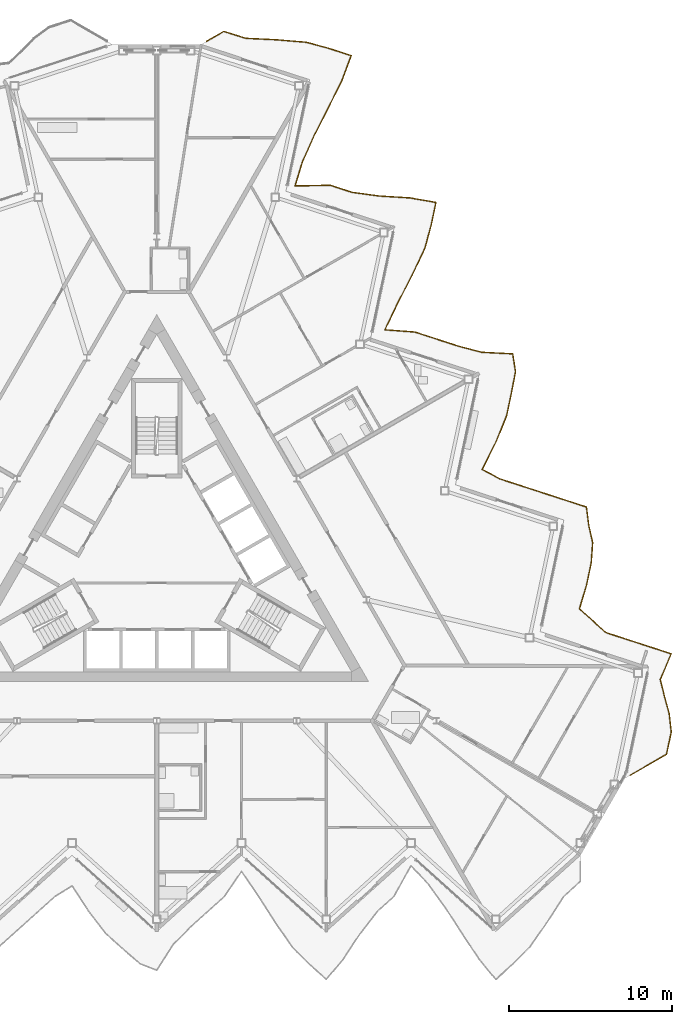
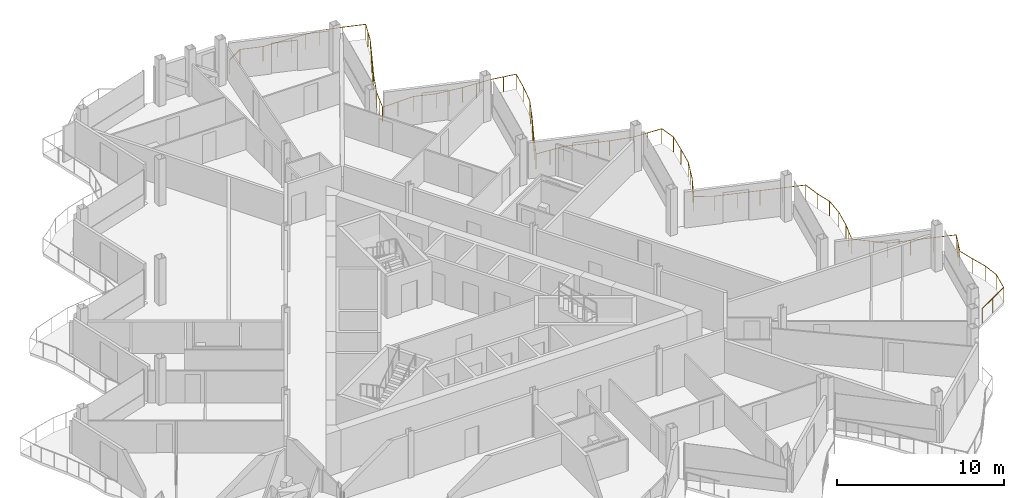
# One storey, part 24 of 26: 1 railing.
"""IFC4 building model written with IfcOpenShell, lengths in metres."""

from ifc_helpers import new_model, si_unit, direction, frame, origin, origin_2d, place, context, subcontext, project, spatial, circle, extrude, material, type_object, element, save


model = new_model("IFC4")

# Units and contexts
model_context = context("Model", 3, precision=1e-05, world=origin(), true_north=direction((0.0, 1.0)))
body_context = subcontext(model_context, "Body", "Model", "MODEL_VIEW")
ifc_project = project(units=[si_unit("LENGTHUNIT", "METRE"), si_unit("AREAUNIT", "SQUARE_METRE"), si_unit("VOLUMEUNIT", "CUBIC_METRE"), si_unit("PLANEANGLEUNIT", "RADIAN"), si_unit("MASSUNIT", "GRAM", prefix="KILO")], contexts=[model_context])

# Site, building, storey
site_placement = place(None, origin())
site = spatial("IfcSite", under=ifc_project, at=site_placement, CompositionType="ELEMENT")
building_placement = place(site_placement, origin())
building = spatial("IfcBuilding", under=site, at=building_placement, Name="Cormorant Prow Tower", CompositionType="ELEMENT")
storey_placement = place(building_placement, frame((0.0, 0.0, 364.39990234375)))
storey = spatial("IfcBuildingStorey", under=building, at=storey_placement, Name="L81", CompositionType="ELEMENT", Elevation=364.39990234375)

# Railing
ifc_material = material(Name="Aluminium 6063-T6", Category="aluminium")
railing_type = type_object("IfcRailingType", Name="Balcony guard 1100", PredefinedType="GUARDRAIL", material=ifc_material)
railing_placement = place(storey_placement, frame((29.0537109375, -13.248046875, 0.0)))
element("IfcRailing", 1, at=railing_placement, inside=storey, type_object=railing_type, Name="Balcony guard ENE", PredefinedType="GUARDRAIL", context=body_context, shape_type="SweptSolid", body=[
    extrude(circle(Radius=0.02392578125, at=origin_2d()), frame((0.0, 0.0, 1.076171875), z_axis=(0.866013163002, 0.500021201058, 0.0), x_axis=(-0.500021201058, 0.866013163002, 0.0)), (0.0, 0.0, 1.0), 2.5703125),
    extrude(circle(Radius=0.02392578125, at=origin_2d()), frame((2.225830078125, 1.28515625, 1.076171875), z_axis=(0.207944297815, 0.978140669335, 0.0), x_axis=(-0.978140669335, 0.207944297815, 0.0)), (0.0, 0.0, 1.0), 1.3994140625),
    extrude(circle(Radius=0.02392578125, at=origin_2d()), frame((2.516845703125, 2.654052734375, 1.076171875), z_axis=(-0.111446863874, 0.993770394273, 0.0), x_axis=(-0.993770394273, -0.111446863874, 0.0)), (0.0, 0.0, 1.0), 1.134765625),
    extrude(circle(Radius=0.02392578125, at=origin_2d()), frame((2.390380859375, 3.78173828125, 1.076171875), z_axis=(-0.265499582895, 0.964110974672, 0.0), x_axis=(-0.964110974672, -0.265499582895, 0.0)), (0.0, 0.0, 1.0), 1.074951171875),
    extrude(circle(Radius=0.02392578125, at=origin_2d()), frame((2.10498046875, 4.818115234375, 1.076171875), z_axis=(-0.240465072316, 0.97065779191, 0.0), x_axis=(-0.97065779191, -0.240465072316, 0.0)), (0.0, 0.0, 1.0), 1.082275390625),
    extrude(circle(Radius=0.02392578125, at=origin_2d()), frame((1.8447265625, 5.86865234375, 1.076171875), z_axis=(0.387606456265, 0.921824948166, 0.0), x_axis=(-0.921824948166, 0.387606456265, 0.0)), (0.0, 0.0, 1.0), 1.72021484375),
    extrude(circle(Radius=0.02392578125, at=origin_2d()), frame((2.511474609375, 7.454345703125, 1.076171875), z_axis=(-0.951028941009, 0.309101849499, 0.0), x_axis=(-0.309101849499, -0.951028941009, 0.0)), (0.0, 0.0, 1.0), 1.399658203125),
    extrude(circle(Radius=0.02392578125, at=origin_2d()), frame((1.180419921875, 7.886962890625, 1.076171875), z_axis=(-0.951063554534, 0.308995332064, 0.0), x_axis=(-0.308995332064, -0.951063554534, 0.0)), (0.0, 0.0, 1.0), 1.399169921875),
    extrude(circle(Radius=0.02392578125, at=origin_2d()), frame((-0.150390625, 8.3193359375, 1.076171875), z_axis=(-0.951028941009, 0.309101849499, 0.0), x_axis=(-0.309101849499, -0.951028941009, 0.0)), (0.0, 0.0, 1.0), 1.399658203125),
    extrude(circle(Radius=0.02392578125, at=origin_2d()), frame((-1.4814453125, 8.751953125, 1.076171875), z_axis=(-0.748465004578, 0.663174288496, 0.0), x_axis=(-0.663174288496, -0.748465004578, 0.0)), (0.0, 0.0, 1.0), 1.096435546875),
    extrude(circle(Radius=0.02392578125, at=origin_2d()), frame((-2.302001953125, 9.47900390625, 1.076171875), z_axis=(-0.746510864736, 0.665373225213, 0.0), x_axis=(-0.665373225213, -0.746510864736, 0.0)), (0.0, 0.0, 1.0), 1.09521484375),
    extrude(circle(Radius=0.02392578125, at=origin_2d()), frame((-3.11962890625, 10.207763671875, 1.076171875), z_axis=(0.287746499695, 0.957706610562, 0.0), x_axis=(-0.957706610562, 0.287746499695, 0.0)), (0.0, 0.0, 1.0), 1.51708984375),
    extrude(circle(Radius=0.02392578125, at=origin_2d()), frame((-2.68310546875, 11.66064453125, 1.076171875), z_axis=(0.20777738218, 0.978176139279, 0.0), x_axis=(-0.978176139279, 0.20777738218, 0.0)), (0.0, 0.0, 1.0), 1.3994140625),
    extrude(circle(Radius=0.02392578125, at=origin_2d()), frame((-2.392333984375, 13.029541015625, 1.076171875), z_axis=(0.06930989136, 0.997595177895, 0.0), x_axis=(-0.997595177895, 0.06930989136, 0.0)), (0.0, 0.0, 1.0), 1.25390625),
    extrude(circle(Radius=0.02392578125, at=origin_2d()), frame((-2.305419921875, 14.280517578125, 1.076171875), z_axis=(-0.222057343381, 0.975033607754, 0.0), x_axis=(-0.975033607754, -0.222057343381, 0.0)), (0.0, 0.0, 1.0), 1.08837890625),
    extrude(circle(Radius=0.02392578125, at=origin_2d()), frame((-2.547119140625, 15.341796875, 1.076171875), z_axis=(-0.125286334102, 0.992120624968, 0.0), x_axis=(-0.992120624968, -0.125286334102, 0.0)), (0.0, 0.0, 1.0), 1.128173828125),
    extrude(circle(Radius=0.02392578125, at=origin_2d()), frame((-2.6884765625, 16.461181640625, 1.076171875), z_axis=(-0.951080208938, 0.308944066403, 0.0), x_axis=(-0.308944066403, -0.951080208938, 0.0)), (0.0, 0.0, 1.0), 1.3994140625),
    extrude(circle(Radius=0.02392578125, at=origin_2d()), frame((-4.01953125, 16.8935546875, 1.076171875), z_axis=(-0.951063554534, 0.308995332064, 0.0), x_axis=(-0.308995332064, -0.951063554534, 0.0)), (0.0, 0.0, 1.0), 1.399169921875),
    extrude(circle(Radius=0.02392578125, at=origin_2d()), frame((-5.350341796875, 17.325927734375, 1.076171875), z_axis=(-0.951028941009, 0.309101849499, 0.0), x_axis=(-0.309101849499, -0.951028941009, 0.0)), (0.0, 0.0, 1.0), 1.399658203125),
    extrude(circle(Radius=0.02392578125, at=origin_2d()), frame((-6.681396484375, 17.758544921875, 1.076171875), z_axis=(-0.951080208938, 0.308944066403, 0.0), x_axis=(-0.308944066403, -0.951080208938, 0.0)), (0.0, 0.0, 1.0), 1.3994140625),
    extrude(circle(Radius=0.02392578125, at=origin_2d()), frame((-8.012451171875, 18.19091796875, 1.076171875), z_axis=(-0.880259311771, 0.474492933604, 0.0), x_axis=(-0.474492933604, -0.880259311771, 0.0)), (0.0, 0.0, 1.0), 1.221923828125),
    extrude(circle(Radius=0.02392578125, at=origin_2d()), frame((-9.088134765625, 18.770751953125, 1.076171875), z_axis=(0.451012966312, 0.892517397152, 0.0), x_axis=(-0.892517397152, 0.451012966312, 0.0)), (0.0, 0.0, 1.0), 1.89990234375),
    extrude(circle(Radius=0.02392578125, at=origin_2d()), frame((-8.231201171875, 20.466552734375, 1.076171875), z_axis=(0.377022296737, 0.926204182545, 0.0), x_axis=(-0.926204182545, 0.377022296737, 0.0)), (0.0, 0.0, 1.0), 1.694580078125),
    extrude(circle(Radius=0.02392578125, at=origin_2d()), frame((-7.59228515625, 22.0361328125, 1.076171875), z_axis=(0.207944297815, 0.978140669335, 0.0), x_axis=(-0.978140669335, 0.207944297815, 0.0)), (0.0, 0.0, 1.0), 1.3994140625),
    extrude(circle(Radius=0.02392578125, at=origin_2d()), frame((-7.30126953125, 23.405029296875, 1.076171875), z_axis=(0.18928822306, 0.98192156948, 0.0), x_axis=(-0.98192156948, 0.18928822306, 0.0)), (0.0, 0.0, 1.0), 1.376220703125),
    extrude(circle(Radius=0.02392578125, at=origin_2d()), frame((-7.040771484375, 24.75634765625, 1.076171875), z_axis=(-0.150874046864, 0.988552994018, 0.0), x_axis=(-0.988552994018, -0.150874046864, 0.0)), (0.0, 0.0, 1.0), 1.116455078125),
    extrude(circle(Radius=0.02392578125, at=origin_2d()), frame((-7.209228515625, 25.860107421875, 1.076171875), z_axis=(-0.998752021132, 0.049943971461, 0.0), x_axis=(-0.049943971461, -0.998752021132, 0.0)), (0.0, 0.0, 1.0), 1.916259765625),
    extrude(circle(Radius=0.02392578125, at=origin_2d()), frame((-9.123046875, 25.955810546875, 1.076171875), z_axis=(-0.966847067746, 0.255356119158, 0.0), x_axis=(-0.255356119158, -0.966847067746, 0.0)), (0.0, 0.0, 1.0), 1.47607421875),
    extrude(circle(Radius=0.02392578125, at=origin_2d()), frame((-10.55029296875, 26.332763671875, 1.076171875), z_axis=(-0.951080208938, 0.308944066403, 0.0), x_axis=(-0.308944066403, -0.951080208938, 0.0)), (0.0, 0.0, 1.0), 1.3994140625),
    extrude(circle(Radius=0.02392578125, at=origin_2d()), frame((-11.88134765625, 26.76513671875, 1.076171875), z_axis=(-0.951080208938, 0.308944066403, 0.0), x_axis=(-0.308944066403, -0.951080208938, 0.0)), (0.0, 0.0, 1.0), 1.3994140625),
    extrude(circle(Radius=0.02392578125, at=origin_2d()), frame((-13.21240234375, 27.197509765625, 1.076171875), z_axis=(-0.997206453657, 0.074694636924, 0.0), x_axis=(-0.074694636924, -0.997206453657, 0.0)), (0.0, 0.0, 1.0), 1.8466796875),
    extrude(circle(Radius=0.02392578125, at=origin_2d()), frame((-15.053955078125, 27.33544921875, 1.076171875), z_axis=(0.434157433131, 0.900837012593, 0.0), x_axis=(-0.900837012593, 0.434157433131, 0.0)), (0.0, 0.0, 1.0), 1.8466796875),
    extrude(circle(Radius=0.02392578125, at=origin_2d()), frame((-14.252197265625, 28.9990234375, 1.076171875), z_axis=(0.457304922398, 0.889309961684, 0.0), x_axis=(-0.889309961684, 0.457304922398, 0.0)), (0.0, 0.0, 1.0), 1.92041015625),
    extrude(circle(Radius=0.02392578125, at=origin_2d()), frame((-13.3740234375, 30.706787109375, 1.076171875), z_axis=(0.427552298794, 0.903990614883, 0.0), x_axis=(-0.903990614883, 0.427552298794, 0.0)), (0.0, 0.0, 1.0), 1.827880859375),
    extrude(circle(Radius=0.02392578125, at=origin_2d()), frame((-12.592529296875, 32.359130859375, 1.076171875), z_axis=(0.259747429895, 0.965676588027, 0.0), x_axis=(-0.965676588027, 0.259747429895, 0.0)), (0.0, 0.0, 1.0), 1.471923828125),
    extrude(circle(Radius=0.02392578125, at=origin_2d()), frame((-12.210205078125, 33.780517578125, 1.076171875), z_axis=(0.20777738218, 0.978176139279, 0.0), x_axis=(-0.978176139279, 0.20777738218, 0.0)), (0.0, 0.0, 1.0), 1.3994140625),
    extrude(circle(Radius=0.02392578125, at=origin_2d()), frame((-11.91943359375, 35.1494140625, 1.076171875), z_axis=(-0.985103249927, 0.171963911864, 0.0), x_axis=(-0.171963911864, -0.985103249927, 0.0)), (0.0, 0.0, 1.0), 1.621337890625),
    extrude(circle(Radius=0.02392578125, at=origin_2d()), frame((-13.5166015625, 35.42822265625, 1.076171875), z_axis=(-0.998135869432, 0.061031026159, 0.0), x_axis=(-0.061031026159, -0.998135869432, 0.0)), (0.0, 0.0, 1.0), 1.884033203125),
    extrude(circle(Radius=0.02392578125, at=origin_2d()), frame((-15.397216796875, 35.543212890625, 1.076171875), z_axis=(-0.990919116289, 0.134459306009, 0.0), x_axis=(-0.134459306009, -0.990919116289, 0.0)), (0.0, 0.0, 1.0), 1.699462890625),
    extrude(circle(Radius=0.02392578125, at=origin_2d()), frame((-17.081298828125, 35.771728515625, 1.076171875), z_axis=(-0.951028941009, 0.309101849499, 0.0), x_axis=(-0.309101849499, -0.951028941009, 0.0)), (0.0, 0.0, 1.0), 1.399658203125),
    extrude(circle(Radius=0.02392578125, at=origin_2d()), frame((-18.412353515625, 36.204345703125, 1.076171875), z_axis=(-0.99980550603, -0.019721818167, 0.0), x_axis=(0.019721818167, -0.99980550603, 0.0)), (0.0, 0.0, 1.0), 2.154052734375),
    extrude(circle(Radius=0.02392578125, at=origin_2d()), frame((-20.56591796875, 36.161865234375, 1.076171875), z_axis=(0.292104612401, 0.956386373499, 0.0), x_axis=(-0.956386373499, 0.292104612401, 0.0)), (0.0, 0.0, 1.0), 1.5244140625),
    extrude(circle(Radius=0.02392578125, at=origin_2d()), frame((-20.12060546875, 37.619873046875, 1.076171875), z_axis=(0.406509843318, 0.913646401671, 0.0), x_axis=(-0.913646401671, 0.406509843318, 0.0)), (0.0, 0.0, 1.0), 1.768798828125),
    extrude(circle(Radius=0.02392578125, at=origin_2d()), frame((-19.401611328125, 39.23583984375, 1.076171875), z_axis=(0.453699663288, 0.891154652982, 0.0), x_axis=(-0.891154652982, 0.453699663288, 0.0)), (0.0, 0.0, 1.0), 1.90869140625),
    extrude(circle(Radius=0.02392578125, at=origin_2d()), frame((-18.53564453125, 40.936767578125, 1.076171875), z_axis=(0.4472135955, 0.894427191, 0.0), x_axis=(-0.894427191, 0.4472135955, 0.0)), (0.0, 0.0, 1.0), 1.88720703125),
    extrude(circle(Radius=0.02392578125, at=origin_2d()), frame((-17.691650390625, 42.624755859375, 1.076171875), z_axis=(0.350026759088, 0.936739701263, 0.0), x_axis=(-0.936739701263, 0.350026759088, 0.0)), (0.0, 0.0, 1.0), 1.635009765625),
    extrude(circle(Radius=0.02392578125, at=origin_2d()), frame((-17.119384765625, 44.15625, 1.076171875), z_axis=(-0.951063554534, 0.308995332064, 0.0), x_axis=(-0.308995332064, -0.951063554534, 0.0)), (0.0, 0.0, 1.0), 1.399169921875),
    extrude(circle(Radius=0.02392578125, at=origin_2d()), frame((-18.4501953125, 44.588623046875, 1.076171875), z_axis=(-0.964404650795, 0.264430840723, 0.0), x_axis=(-0.264430840723, -0.964404650795, 0.0)), (0.0, 0.0, 1.0), 1.46240234375),
    extrude(circle(Radius=0.02392578125, at=origin_2d()), frame((-19.860595703125, 44.975341796875, 1.076171875), z_axis=(-0.996499406078, 0.083599842618, 0.0), x_axis=(-0.083599842618, -0.996499406078, 0.0)), (0.0, 0.0, 1.0), 1.822265625),
    extrude(circle(Radius=0.02392578125, at=origin_2d()), frame((-21.676513671875, 45.127685546875, 1.076171875), z_axis=(-0.998807214083, 0.048827749231, 0.0), x_axis=(-0.048827749231, -0.998807214083, 0.0)), (0.0, 0.0, 1.0), 1.919921875),
    extrude(circle(Radius=0.02392578125, at=origin_2d()), frame((-23.59423828125, 45.221435546875, 1.076171875), z_axis=(-0.954424643559, 0.298452005803, 0.0), x_axis=(-0.298452005803, -0.954424643559, 0.0)), (0.0, 0.0, 1.0), 1.41357421875),
    extrude(circle(Radius=0.02392578125, at=origin_2d()), frame((-24.943359375, 45.643310546875, 1.076171875), z_axis=(-0.866092288191, -0.499884134912, 0.0), x_axis=(0.499884134912, -0.866092288191, 0.0)), (0.0, 0.0, 1.0), 1.219970703125),
    extrude(circle(Radius=0.02099609375, at=origin_2d()), origin(), (0.0, 0.0, 1.0), 1.052001953125),
    extrude(circle(Radius=0.02099609375, at=origin_2d()), frame((1.11279296875, 0.642578125, 0.0)), (0.0, 0.0, 1.0), 1.052001953125),
    extrude(circle(Radius=0.02099609375, at=origin_2d()), frame((2.225830078125, 1.28515625, 0.0)), (0.0, 0.0, 1.0), 1.052001953125),
    extrude(circle(Radius=0.02099609375, at=origin_2d()), frame((2.516845703125, 2.654052734375, 0.0)), (0.0, 0.0, 1.0), 1.052001953125),
    extrude(circle(Radius=0.02099609375, at=origin_2d()), frame((2.390380859375, 3.78173828125, 0.0)), (0.0, 0.0, 1.0), 1.052001953125),
    extrude(circle(Radius=0.02099609375, at=origin_2d()), frame((2.10498046875, 4.818115234375, 0.0)), (0.0, 0.0, 1.0), 1.052001953125),
    extrude(circle(Radius=0.02099609375, at=origin_2d()), frame((1.8447265625, 5.86865234375, 0.0)), (0.0, 0.0, 1.0), 1.052001953125),
    extrude(circle(Radius=0.02099609375, at=origin_2d()), frame((2.17822265625, 6.66162109375, 0.0)), (0.0, 0.0, 1.0), 1.052001953125),
    extrude(circle(Radius=0.02099609375, at=origin_2d()), frame((2.511474609375, 7.454345703125, 0.0)), (0.0, 0.0, 1.0), 1.052001953125),
    extrude(circle(Radius=0.02099609375, at=origin_2d()), frame((1.180419921875, 7.886962890625, 0.0)), (0.0, 0.0, 1.0), 1.052001953125),
    extrude(circle(Radius=0.02099609375, at=origin_2d()), frame((-0.150390625, 8.3193359375, 0.0)), (0.0, 0.0, 1.0), 1.052001953125),
    extrude(circle(Radius=0.02099609375, at=origin_2d()), frame((-1.4814453125, 8.751953125, 0.0)), (0.0, 0.0, 1.0), 1.052001953125),
    extrude(circle(Radius=0.02099609375, at=origin_2d()), frame((-2.302001953125, 9.47900390625, 0.0)), (0.0, 0.0, 1.0), 1.052001953125),
    extrude(circle(Radius=0.02099609375, at=origin_2d()), frame((-3.11962890625, 10.207763671875, 0.0)), (0.0, 0.0, 1.0), 1.052001953125),
    extrude(circle(Radius=0.02099609375, at=origin_2d()), frame((-2.9013671875, 10.93408203125, 0.0)), (0.0, 0.0, 1.0), 1.052001953125),
    extrude(circle(Radius=0.02099609375, at=origin_2d()), frame((-2.68310546875, 11.66064453125, 0.0)), (0.0, 0.0, 1.0), 1.052001953125),
    extrude(circle(Radius=0.02099609375, at=origin_2d()), frame((-2.392333984375, 13.029541015625, 0.0)), (0.0, 0.0, 1.0), 1.052001953125),
    extrude(circle(Radius=0.02099609375, at=origin_2d()), frame((-2.305419921875, 14.280517578125, 0.0)), (0.0, 0.0, 1.0), 1.052001953125),
    extrude(circle(Radius=0.02099609375, at=origin_2d()), frame((-2.547119140625, 15.341796875, 0.0)), (0.0, 0.0, 1.0), 1.052001953125),
    extrude(circle(Radius=0.02099609375, at=origin_2d()), frame((-2.6884765625, 16.461181640625, 0.0)), (0.0, 0.0, 1.0), 1.052001953125),
    extrude(circle(Radius=0.02099609375, at=origin_2d()), frame((-4.01953125, 16.8935546875, 0.0)), (0.0, 0.0, 1.0), 1.052001953125),
    extrude(circle(Radius=0.02099609375, at=origin_2d()), frame((-5.350341796875, 17.325927734375, 0.0)), (0.0, 0.0, 1.0), 1.052001953125),
    extrude(circle(Radius=0.02099609375, at=origin_2d()), frame((-6.681396484375, 17.758544921875, 0.0)), (0.0, 0.0, 1.0), 1.052001953125),
    extrude(circle(Radius=0.02099609375, at=origin_2d()), frame((-8.012451171875, 18.19091796875, 0.0)), (0.0, 0.0, 1.0), 1.052001953125),
    extrude(circle(Radius=0.02099609375, at=origin_2d()), frame((-9.088134765625, 18.770751953125, 0.0)), (0.0, 0.0, 1.0), 1.052001953125),
    extrude(circle(Radius=0.02099609375, at=origin_2d()), frame((-8.65966796875, 19.61865234375, 0.0)), (0.0, 0.0, 1.0), 1.052001953125),
    extrude(circle(Radius=0.02099609375, at=origin_2d()), frame((-8.231201171875, 20.466552734375, 0.0)), (0.0, 0.0, 1.0), 1.052001953125),
    extrude(circle(Radius=0.02099609375, at=origin_2d()), frame((-7.91162109375, 21.25146484375, 0.0)), (0.0, 0.0, 1.0), 1.052001953125),
    extrude(circle(Radius=0.02099609375, at=origin_2d()), frame((-7.59228515625, 22.0361328125, 0.0)), (0.0, 0.0, 1.0), 1.052001953125),
    extrude(circle(Radius=0.02099609375, at=origin_2d()), frame((-7.30126953125, 23.405029296875, 0.0)), (0.0, 0.0, 1.0), 1.052001953125),
    extrude(circle(Radius=0.02099609375, at=origin_2d()), frame((-7.040771484375, 24.75634765625, 0.0)), (0.0, 0.0, 1.0), 1.052001953125),
    extrude(circle(Radius=0.02099609375, at=origin_2d()), frame((-7.209228515625, 25.860107421875, 0.0)), (0.0, 0.0, 1.0), 1.052001953125),
    extrude(circle(Radius=0.02099609375, at=origin_2d()), frame((-8.166015625, 25.907958984375, 0.0)), (0.0, 0.0, 1.0), 1.052001953125),
    extrude(circle(Radius=0.02099609375, at=origin_2d()), frame((-9.123046875, 25.955810546875, 0.0)), (0.0, 0.0, 1.0), 1.052001953125),
    extrude(circle(Radius=0.02099609375, at=origin_2d()), frame((-10.55029296875, 26.332763671875, 0.0)), (0.0, 0.0, 1.0), 1.052001953125),
    extrude(circle(Radius=0.02099609375, at=origin_2d()), frame((-11.88134765625, 26.76513671875, 0.0)), (0.0, 0.0, 1.0), 1.052001953125),
    extrude(circle(Radius=0.02099609375, at=origin_2d()), frame((-13.21240234375, 27.197509765625, 0.0)), (0.0, 0.0, 1.0), 1.052001953125),
    extrude(circle(Radius=0.02099609375, at=origin_2d()), frame((-14.13330078125, 27.2666015625, 0.0)), (0.0, 0.0, 1.0), 1.052001953125),
    extrude(circle(Radius=0.02099609375, at=origin_2d()), frame((-15.053955078125, 27.33544921875, 0.0)), (0.0, 0.0, 1.0), 1.052001953125),
    extrude(circle(Radius=0.02099609375, at=origin_2d()), frame((-14.653076171875, 28.167236328125, 0.0)), (0.0, 0.0, 1.0), 1.052001953125),
    extrude(circle(Radius=0.02099609375, at=origin_2d()), frame((-14.252197265625, 28.9990234375, 0.0)), (0.0, 0.0, 1.0), 1.052001953125),
    extrude(circle(Radius=0.02099609375, at=origin_2d()), frame((-13.81298828125, 29.85302734375, 0.0)), (0.0, 0.0, 1.0), 1.052001953125),
    extrude(circle(Radius=0.02099609375, at=origin_2d()), frame((-13.3740234375, 30.706787109375, 0.0)), (0.0, 0.0, 1.0), 1.052001953125),
    extrude(circle(Radius=0.02099609375, at=origin_2d()), frame((-12.9833984375, 31.532958984375, 0.0)), (0.0, 0.0, 1.0), 1.052001953125),
    extrude(circle(Radius=0.02099609375, at=origin_2d()), frame((-12.592529296875, 32.359130859375, 0.0)), (0.0, 0.0, 1.0), 1.052001953125),
    extrude(circle(Radius=0.02099609375, at=origin_2d()), frame((-12.210205078125, 33.780517578125, 0.0)), (0.0, 0.0, 1.0), 1.052001953125),
    extrude(circle(Radius=0.02099609375, at=origin_2d()), frame((-11.91943359375, 35.1494140625, 0.0)), (0.0, 0.0, 1.0), 1.052001953125),
    extrude(circle(Radius=0.02099609375, at=origin_2d()), frame((-12.718017578125, 35.288818359375, 0.0)), (0.0, 0.0, 1.0), 1.052001953125),
    extrude(circle(Radius=0.02099609375, at=origin_2d()), frame((-13.5166015625, 35.42822265625, 0.0)), (0.0, 0.0, 1.0), 1.052001953125),
    extrude(circle(Radius=0.02099609375, at=origin_2d()), frame((-14.45703125, 35.48583984375, 0.0)), (0.0, 0.0, 1.0), 1.052001953125),
    extrude(circle(Radius=0.02099609375, at=origin_2d()), frame((-15.397216796875, 35.543212890625, 0.0)), (0.0, 0.0, 1.0), 1.052001953125),
    extrude(circle(Radius=0.02099609375, at=origin_2d()), frame((-16.2392578125, 35.657470703125, 0.0)), (0.0, 0.0, 1.0), 1.052001953125),
    extrude(circle(Radius=0.02099609375, at=origin_2d()), frame((-17.081298828125, 35.771728515625, 0.0)), (0.0, 0.0, 1.0), 1.052001953125),
    extrude(circle(Radius=0.02099609375, at=origin_2d()), frame((-18.412353515625, 36.204345703125, 0.0)), (0.0, 0.0, 1.0), 1.052001953125),
    extrude(circle(Radius=0.02099609375, at=origin_2d()), frame((-19.4892578125, 36.18310546875, 0.0)), (0.0, 0.0, 1.0), 1.052001953125),
    extrude(circle(Radius=0.02099609375, at=origin_2d()), frame((-20.56591796875, 36.161865234375, 0.0)), (0.0, 0.0, 1.0), 1.052001953125),
    extrude(circle(Radius=0.02099609375, at=origin_2d()), frame((-20.34326171875, 36.890869140625, 0.0)), (0.0, 0.0, 1.0), 1.052001953125),
    extrude(circle(Radius=0.02099609375, at=origin_2d()), frame((-20.12060546875, 37.619873046875, 0.0)), (0.0, 0.0, 1.0), 1.052001953125),
    extrude(circle(Radius=0.02099609375, at=origin_2d()), frame((-19.76123046875, 38.427734375, 0.0)), (0.0, 0.0, 1.0), 1.052001953125),
    extrude(circle(Radius=0.02099609375, at=origin_2d()), frame((-19.401611328125, 39.23583984375, 0.0)), (0.0, 0.0, 1.0), 1.052001953125),
    extrude(circle(Radius=0.02099609375, at=origin_2d()), frame((-18.96875, 40.08642578125, 0.0)), (0.0, 0.0, 1.0), 1.052001953125),
    extrude(circle(Radius=0.02099609375, at=origin_2d()), frame((-18.53564453125, 40.936767578125, 0.0)), (0.0, 0.0, 1.0), 1.052001953125),
    extrude(circle(Radius=0.02099609375, at=origin_2d()), frame((-18.11376953125, 41.78076171875, 0.0)), (0.0, 0.0, 1.0), 1.052001953125),
    extrude(circle(Radius=0.02099609375, at=origin_2d()), frame((-17.691650390625, 42.624755859375, 0.0)), (0.0, 0.0, 1.0), 1.052001953125),
    extrude(circle(Radius=0.02099609375, at=origin_2d()), frame((-17.405517578125, 43.390625, 0.0)), (0.0, 0.0, 1.0), 1.052001953125),
    extrude(circle(Radius=0.02099609375, at=origin_2d()), frame((-17.119384765625, 44.15625, 0.0)), (0.0, 0.0, 1.0), 1.052001953125),
    extrude(circle(Radius=0.02099609375, at=origin_2d()), frame((-18.4501953125, 44.588623046875, 0.0)), (0.0, 0.0, 1.0), 1.052001953125),
    extrude(circle(Radius=0.02099609375, at=origin_2d()), frame((-19.860595703125, 44.975341796875, 0.0)), (0.0, 0.0, 1.0), 1.052001953125),
    extrude(circle(Radius=0.02099609375, at=origin_2d()), frame((-20.7685546875, 45.051513671875, 0.0)), (0.0, 0.0, 1.0), 1.052001953125),
    extrude(circle(Radius=0.02099609375, at=origin_2d()), frame((-21.676513671875, 45.127685546875, 0.0)), (0.0, 0.0, 1.0), 1.052001953125),
    extrude(circle(Radius=0.02099609375, at=origin_2d()), frame((-22.63525390625, 45.174560546875, 0.0)), (0.0, 0.0, 1.0), 1.052001953125),
    extrude(circle(Radius=0.02099609375, at=origin_2d()), frame((-23.59423828125, 45.221435546875, 0.0)), (0.0, 0.0, 1.0), 1.052001953125),
    extrude(circle(Radius=0.02099609375, at=origin_2d()), frame((-24.943359375, 45.643310546875, 0.0)), (0.0, 0.0, 1.0), 1.052001953125),
    extrude(circle(Radius=0.02099609375, at=origin_2d()), frame((-26.0, 45.033447265625, 0.0)), (0.0, 0.0, 1.0), 1.052001953125),
])

save(model, "model.ifc")
